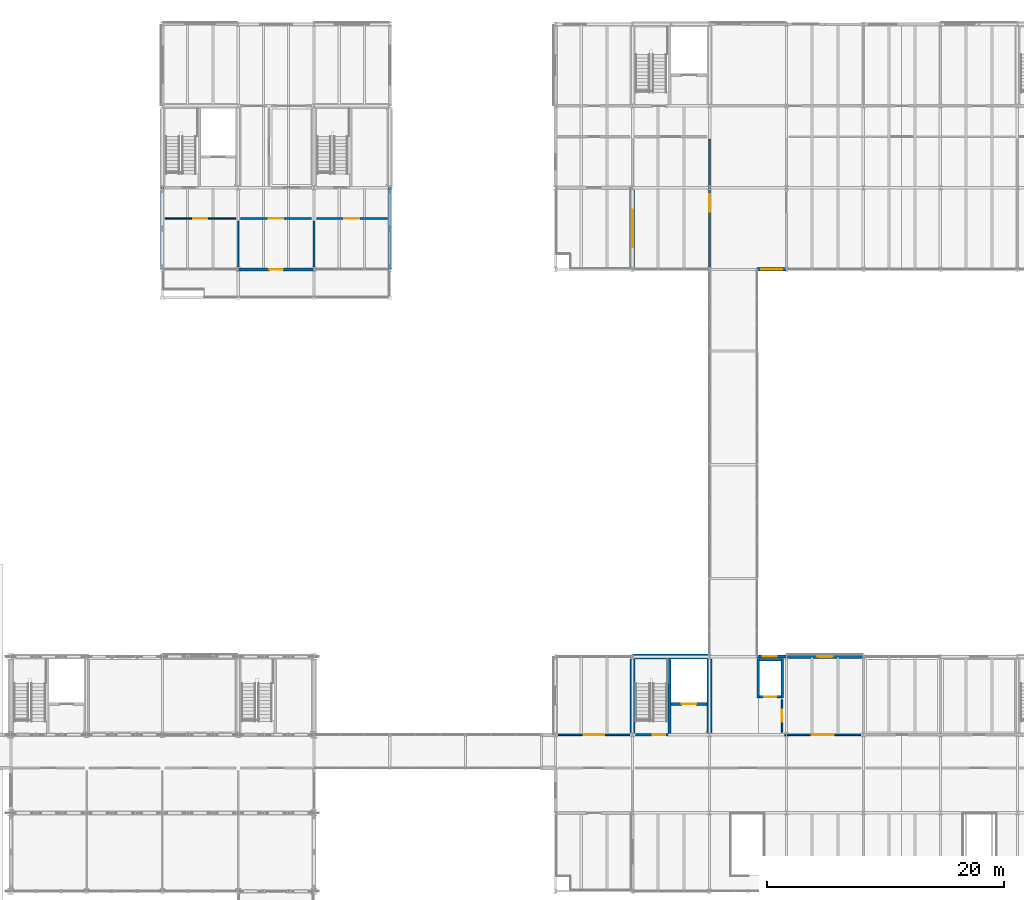
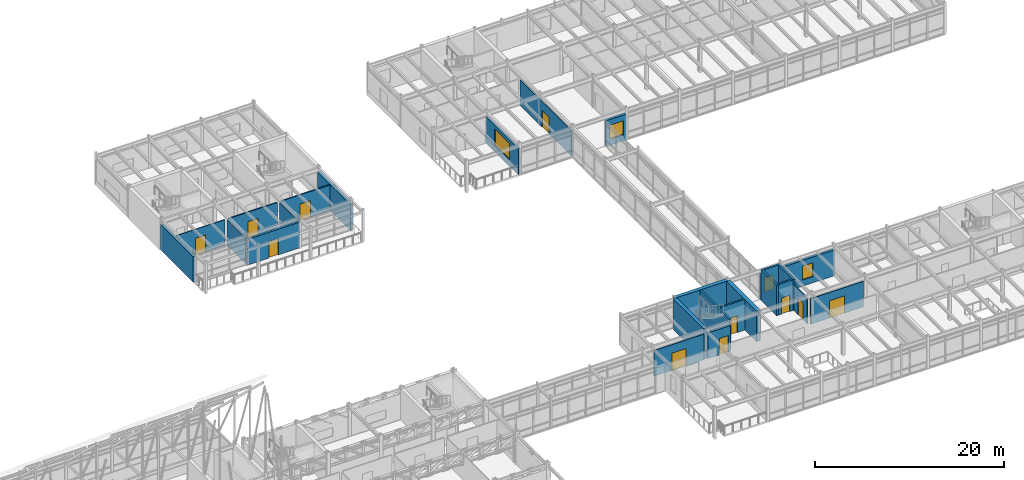
# One storey, part 131 of 144: 26 walls, 11 doors, 4 windows, 15 openings.
"""IFC4 building model written with IfcOpenShell, lengths in metres."""

from ifc_helpers import new_model, si_unit, direction, frame, frame_2d, origin, place, context, subcontext, project, spatial, rectangle, extrude, material, layer, layer_set, type_object, element, fill, save


model = new_model("IFC4")

# Units and contexts
model_context = context("Model", 3, precision=1e-05, world=origin(), true_north=direction((0.0, 1.0)))
body_context = subcontext(model_context, "Body", "Model", "MODEL_VIEW")
ifc_project = project(units=[si_unit("LENGTHUNIT", "METRE"), si_unit("AREAUNIT", "SQUARE_METRE"), si_unit("VOLUMEUNIT", "CUBIC_METRE"), si_unit("PLANEANGLEUNIT", "RADIAN"), si_unit("MASSUNIT", "GRAM", prefix="KILO")], contexts=[model_context])

# Site, building, storey
site_placement = place(None, origin())
site = spatial("IfcSite", under=ifc_project, at=site_placement, CompositionType="ELEMENT")
building_placement = place(site_placement, origin())
building = spatial("IfcBuilding", under=site, at=building_placement, Name="Trelmorton Wharf Fire Station", CompositionType="ELEMENT")
storey_placement = place(building_placement, frame((0.0, 0.0, 5.39990234375)))
storey = spatial("IfcBuildingStorey", under=building, at=storey_placement, Name="L01", CompositionType="ELEMENT", Elevation=5.39990234375)

# Wall, opening, door
ifc_material_1 = material(Name="Precast concrete 45 MPa", Category="concrete")
ifc_layer_1 = layer(ifc_material_1, 0.25)
ifc_layer_set_1 = layer_set([ifc_layer_1], Name="Precast concrete 45 MPa")
wall_type_1 = type_object("IfcWallType", Name="EW_PREC_250", PredefinedType="SOLIDWALL", material=ifc_layer_set_1)
wall_1_placement = place(storey_placement, frame((83.594970703125, 60.300048828125, 0.0), z_axis=(0.0, 0.0, 1.0), x_axis=(-1.0, 0.0, 0.0)))
wall_1 = element("IfcWall", 1, at=wall_1_placement, inside=storey, type_object=wall_type_1, Name="EW-V2-L01-0163", PredefinedType="SOLIDWALL", context=body_context, shape_type="SweptSolid", body=[
    extrude(rectangle(XDim=6.389892578125, YDim=0.25, at=frame_2d((3.19482421875, 0.0))), origin(), (0.0, 0.0, 1.0), 3.320068359375),
])
opening_1_placement = place(wall_1_placement, frame((2.625, 0.0, 0.0)))
opening_1 = element("IfcOpeningElement", 2, at=opening_1_placement, cuts=wall_1, Name="Opening TD-026", PredefinedType="OPENING", context=body_context, shape_type="SweptSolid", body=[
    extrude(rectangle(XDim=1.139892578125, YDim=2.139892578125, at=frame_2d((0.56982421875, 1.06982421875))), frame((0.0, 0.135009765625, 0.0), z_axis=(0.0, -1.0, 0.0), x_axis=(1.0, 0.0, 0.0)), (0.0, 0.0, 1.0), 0.27001953125),
])
ifc_material_2 = material(Name="Anodised aluminium AW-6063", Category="aluminium")
door_type_1 = type_object("IfcDoorType", Name="DR_TER_SGL_114", OperationType="NOTDEFINED", PredefinedType="DOOR", material=ifc_material_2)
door_1_placement = place(opening_1_placement, origin())
door_1 = element("IfcDoor", 3, at=door_1_placement, inside=storey, type_object=door_type_1, Name="Terrace Door TD-026", OperationType="SINGLE_SWING_LEFT", OverallHeight=2.139892578125, OverallWidth=1.139892578125, PredefinedType="DOOR", context=body_context, shape_type="SweptSolid", body=[
    extrude(rectangle(XDim=1.139892578125, YDim=2.139892578125, at=frame_2d((0.56982421875, 1.06982421875))), frame((0.0, 0.02490234375, 0.0), z_axis=(0.0, -1.0, 0.0), x_axis=(1.0, 0.0, 0.0)), (0.0, 0.0, 1.0), 0.050048828125),
])
fill(opening_1, door_1)

# Wall, opening, window
ifc_layer_2 = layer(ifc_material_1, 0.27001953125)
ifc_layer_set_2 = layer_set([ifc_layer_2], Name="Precast concrete 45 MPa")
wall_type_2 = type_object("IfcWallType", Name="EW_PREC_270", PredefinedType="SOLIDWALL", material=ifc_layer_set_2)
wall_2_placement = place(storey_placement, frame((121.0048828125, 27.60009765625, 0.0), z_axis=(0.0, 0.0, 1.0), x_axis=(1.0, 0.0, 0.0)))
wall_2 = element("IfcWall", 4, at=wall_2_placement, inside=storey, type_object=wall_type_2, Name="EW-V5-L01-0080", PredefinedType="SOLIDWALL", context=body_context, shape_type="SweptSolid", body=[
    extrude(rectangle(XDim=2.490234375, YDim=0.27001953125, at=frame_2d((1.2451171875, 0.0))), origin(), (0.0, 0.0, 1.0), 3.320068359375),
])
opening_2_placement = place(wall_2_placement, frame((0.50244140625, 0.0, 0.800048828125)))
opening_2 = element("IfcOpeningElement", 5, at=opening_2_placement, cuts=wall_2, Name="Opening W17", PredefinedType="OPENING", context=body_context, shape_type="SweptSolid", body=[
    extrude(rectangle(XDim=1.14990234375, YDim=1.800048828125, at=frame_2d((0.574951171875, 0.89990234375))), frame((0.0, 0.14501953125, 0.0), z_axis=(0.0, -1.0, 0.0), x_axis=(1.0, 0.0, 0.0)), (0.0, 0.0, 1.0), 0.2900390625),
])
ifc_material_3 = material(Name="Tempered low-E double glazing", Category="glass")
window_type_1 = type_object("IfcWindowType", Name="WIN_W17", PartitioningType="SINGLE_PANEL", PredefinedType="WINDOW", material=ifc_material_3)
window_1_placement = place(opening_2_placement, origin())
window_1 = element("IfcWindow", 6, at=window_1_placement, inside=storey, type_object=window_type_1, Name="WN-V5-L01-0032", OverallHeight=1.800048828125, OverallWidth=1.14990234375, PartitioningType="SINGLE_PANEL", PredefinedType="WINDOW", context=body_context, shape_type="SweptSolid", body=[
    extrude(rectangle(XDim=1.14990234375, YDim=1.800048828125, at=frame_2d((0.574951171875, 0.89990234375))), frame((0.0, 0.030029296875, 0.0), z_axis=(0.0, -1.0, 0.0), x_axis=(1.0, 0.0, 0.0)), (0.0, 0.0, 1.0), 0.06005859375),
])
fill(opening_2, window_1)

ifc_layer_3 = layer(ifc_material_1, 0.2900390625)
ifc_layer_set_3 = layer_set([ifc_layer_3], Name="Precast concrete 45 MPa")
wall_type_3 = type_object("IfcWallType", Name="EW_TERR_290", PredefinedType="SOLIDWALL", material=ifc_layer_set_3)
wall_3_placement = place(storey_placement, frame((123.5048828125, 27.60009765625, 0.0), z_axis=(0.0, 0.0, 1.0), x_axis=(1.0, 0.0, 0.0)))
wall_3 = element("IfcWall", 7, at=wall_3_placement, inside=storey, type_object=wall_type_3, Name="EW-V5-L01-0081", PredefinedType="SOLIDWALL", context=body_context, shape_type="SweptSolid", body=[
    extrude(rectangle(XDim=6.490234375, YDim=0.2900390625, at=frame_2d((3.2451171875, 0.0))), origin(), (0.0, 0.0, 1.0), 3.320068359375),
])
opening_3_placement = place(wall_3_placement, frame((2.594970703125, 0.0, 0.800048828125)))
opening_3 = element("IfcOpeningElement", 8, at=opening_3_placement, cuts=wall_3, Name="Opening W18", PredefinedType="OPENING", context=body_context, shape_type="SweptSolid", body=[
    extrude(rectangle(XDim=1.300048828125, YDim=1.800048828125, at=frame_2d((0.64990234375, 0.89990234375))), frame((0.0, 0.155029296875, 0.0), z_axis=(0.0, -1.0, 0.0), x_axis=(1.0, 0.0, 0.0)), (0.0, 0.0, 1.0), 0.31005859375),
])
window_type_2 = type_object("IfcWindowType", Name="WIN_W18", PartitioningType="SINGLE_PANEL", PredefinedType="WINDOW", material=ifc_material_3)
window_2_placement = place(opening_3_placement, origin())
window_2 = element("IfcWindow", 9, at=window_2_placement, inside=storey, type_object=window_type_2, Name="WN-V5-L01-0033", OverallHeight=1.800048828125, OverallWidth=1.300048828125, PartitioningType="SINGLE_PANEL", PredefinedType="WINDOW", context=body_context, shape_type="SweptSolid", body=[
    extrude(rectangle(XDim=1.300048828125, YDim=1.800048828125, at=frame_2d((0.64990234375, 0.89990234375))), frame((0.0, 0.030029296875, 0.0), z_axis=(0.0, -1.0, 0.0), x_axis=(1.0, 0.0, 0.0)), (0.0, 0.0, 1.0), 0.06005859375),
])
fill(opening_3, window_2)

wall_4_placement = place(storey_placement, frame((110.5, 60.304931640625, 0.0), z_axis=(0.0, 0.0, 1.0), x_axis=(0.0, 1.0, 0.0)))
wall_4 = element("IfcWall", 10, at=wall_4_placement, inside=storey, type_object=wall_type_3, Name="EW-V4-L01-0213", PredefinedType="SOLIDWALL", context=body_context, shape_type="SweptSolid", body=[
    extrude(rectangle(XDim=6.89013671875, YDim=0.2900390625, at=frame_2d((3.445068359375, 0.0))), origin(), (0.0, 0.0, 1.0), 3.320068359375),
])
opening_4_placement = place(wall_4_placement, frame((1.8701171875, 0.0, 0.800048828125)))
opening_4 = element("IfcOpeningElement", 11, at=opening_4_placement, cuts=wall_4, Name="Opening W06", PredefinedType="OPENING", context=body_context, shape_type="SweptSolid", body=[
    extrude(rectangle(XDim=3.14990234375, YDim=2.10009765625, at=frame_2d((1.574951171875, 1.050048828125))), frame((0.0, 0.155029296875, 0.0), z_axis=(0.0, -1.0, 0.0), x_axis=(1.0, 0.0, 0.0)), (0.0, 0.0, 1.0), 0.31005859375),
])
window_type_3 = type_object("IfcWindowType", Name="WIN_W06", PartitioningType="TRIPLE_PANEL_VERTICAL", PredefinedType="WINDOW", material=ifc_material_3)
window_3_placement = place(opening_4_placement, origin())
window_3 = element("IfcWindow", 12, at=window_3_placement, inside=storey, type_object=window_type_3, Name="WN-V4-L01-0116", OverallHeight=2.10009765625, OverallWidth=3.14990234375, PartitioningType="TRIPLE_PANEL_VERTICAL", PredefinedType="WINDOW", context=body_context, shape_type="SweptSolid", body=[
    extrude(rectangle(XDim=3.14990234375, YDim=2.10009765625, at=frame_2d((1.574951171875, 1.050048828125))), frame((0.0, 0.030029296875, 0.0), z_axis=(0.0, -1.0, 0.0), x_axis=(1.0, 0.0, 0.0)), (0.0, 0.0, 1.0), 0.06005859375),
])
fill(opening_4, window_3)

# Wall
ifc_layer_4 = layer(ifc_material_1, 0.31005859375)
ifc_layer_set_4 = layer_set([ifc_layer_4], Name="Precast concrete 45 MPa")
wall_type_4 = type_object("IfcWallType", Name="EW_TERR_310", PredefinedType="SOLIDWALL", material=ifc_layer_set_4)
wall_5_placement = place(storey_placement, frame((70.800048828125, 60.304931640625, 0.0), z_axis=(0.0, 0.0, 1.0), x_axis=(0.0, 1.0, 0.0)))
element("IfcWall", 13, at=wall_5_placement, inside=storey, type_object=wall_type_4, Name="EW-V2-L01-0166", PredefinedType="SOLIDWALL", context=body_context, shape_type="SweptSolid", body=[
    extrude(rectangle(XDim=6.89013671875, YDim=0.31005859375, at=frame_2d((3.445068359375, 0.0))), origin(), (0.0, 0.0, 1.0), 3.320068359375),
])

# Wall, opening, window
wall_6_placement = place(storey_placement, frame((123.4951171875, 60.300048828125, 0.0), z_axis=(0.0, 0.0, 1.0), x_axis=(-1.0, 0.0, 0.0)))
wall_6 = element("IfcWall", 14, at=wall_6_placement, inside=storey, type_object=wall_type_4, Name="EW-V4-L01-0214", PredefinedType="SOLIDWALL", context=body_context, shape_type="SweptSolid", body=[
    extrude(rectangle(XDim=2.490234375, YDim=0.31005859375, at=frame_2d((1.2451171875, 0.0))), origin(), (0.0, 0.0, 1.0), 3.320068359375),
])
opening_5_placement = place(wall_6_placement, frame((0.3701171875, 0.0, 0.800048828125)))
opening_5 = element("IfcOpeningElement", 15, at=opening_5_placement, cuts=wall_6, Name="Opening W09", PredefinedType="OPENING", context=body_context, shape_type="SweptSolid", body=[
    extrude(rectangle(XDim=1.75, YDim=1.800048828125, at=frame_2d((0.875, 0.89990234375))), frame((0.0, 0.1650390625, 0.0), z_axis=(0.0, -1.0, 0.0), x_axis=(1.0, 0.0, 0.0)), (0.0, 0.0, 1.0), 0.330078125),
])
window_type_4 = type_object("IfcWindowType", Name="WIN_W09", PartitioningType="DOUBLE_PANEL_VERTICAL", PredefinedType="WINDOW", material=ifc_material_3)
window_4_placement = place(opening_5_placement, origin())
window_4 = element("IfcWindow", 16, at=window_4_placement, inside=storey, type_object=window_type_4, Name="WN-V4-L01-0117", OverallHeight=1.800048828125, OverallWidth=1.75, PartitioningType="DOUBLE_PANEL_VERTICAL", PredefinedType="WINDOW", context=body_context, shape_type="SweptSolid", body=[
    extrude(rectangle(XDim=1.75, YDim=1.800048828125, at=frame_2d((0.875, 0.89990234375))), frame((0.0, 0.030029296875, 0.0), z_axis=(0.0, -1.0, 0.0), x_axis=(1.0, 0.0, 0.0)), (0.0, 0.0, 1.0), 0.06005859375),
])
fill(opening_5, window_4)

# Wall
ifc_layer_5 = layer(ifc_material_1, 0.330078125)
ifc_layer_set_5 = layer_set([ifc_layer_5], Name="Precast concrete 45 MPa")
wall_type_5 = type_object("IfcWallType", Name="EW_TERR_330", PredefinedType="SOLIDWALL", material=ifc_layer_set_5)
wall_7_placement = place(storey_placement, frame((90.0, 67.195068359375, 0.0), z_axis=(0.0, 0.0, 1.0), x_axis=(0.0, -1.0, 0.0)))
element("IfcWall", 17, at=wall_7_placement, inside=storey, type_object=wall_type_5, Name="EW-V2-L01-0167", PredefinedType="SOLIDWALL", context=body_context, shape_type="SweptSolid", body=[
    extrude(rectangle(XDim=6.89013671875, YDim=0.330078125, at=frame_2d((3.445068359375, 0.0))), origin(), (0.0, 0.0, 1.0), 3.320068359375),
])

# Wall, opening, door
ifc_material_4 = material(Name="Gypsum plasterboard partition")
ifc_layer_6 = layer(ifc_material_4, 0.14990234375)
ifc_layer_set_6 = layer_set([ifc_layer_6], Name="Gypsum plasterboard partition")
wall_type_6 = type_object("IfcWallType", Name="IW_ACOU_150", PredefinedType="PARTITIONING", material=ifc_layer_set_6)
wall_8_placement = place(storey_placement, frame((77.419921875, 64.60009765625, 0.0), z_axis=(0.0, 0.0, 1.0), x_axis=(1.0, 0.0, 0.0)))
wall_8 = element("IfcWall", 18, at=wall_8_placement, inside=storey, type_object=wall_type_6, Name="IW-L01-0107", PredefinedType="PARTITIONING", context=body_context, shape_type="SweptSolid", body=[
    extrude(rectangle(XDim=5.9599609375, YDim=0.14990234375, at=frame_2d((2.97998046875, 0.0))), origin(), (0.0, 0.0, 1.0), 3.300048828125),
])
opening_6_placement = place(wall_8_placement, frame((2.364990234375, 0.0, 0.0)))
opening_6 = element("IfcOpeningElement", 19, at=opening_6_placement, cuts=wall_8, Name="Opening D-071", PredefinedType="OPENING", context=body_context, shape_type="SweptSolid", body=[
    extrude(rectangle(XDim=1.22998046875, YDim=2.080078125, at=frame_2d((0.614990234375, 1.0400390625))), frame((0.0, 0.0849609375, 0.0), z_axis=(0.0, -1.0, 0.0), x_axis=(1.0, 0.0, 0.0)), (0.0, 0.0, 1.0), 0.169921875),
])
ifc_material_5 = material(Name="Acoustic timber panelling", Category="wood")
door_type_2 = type_object("IfcDoorType", Name="DR_INT_123", OperationType="NOTDEFINED", PredefinedType="DOOR", material=ifc_material_5)
door_2_placement = place(opening_6_placement, origin())
door_2 = element("IfcDoor", 20, at=door_2_placement, inside=storey, type_object=door_type_2, Name="Interior Door D-071", OperationType="SINGLE_SWING_LEFT", OverallHeight=2.080078125, OverallWidth=1.22998046875, PredefinedType="DOOR", context=body_context, shape_type="SweptSolid", body=[
    extrude(rectangle(XDim=1.22998046875, YDim=2.080078125, at=frame_2d((0.614990234375, 1.0400390625))), frame((0.0, 0.02490234375, 0.0), z_axis=(0.0, -1.0, 0.0), x_axis=(1.0, 0.0, 0.0)), (0.0, 0.0, 1.0), 0.050048828125),
])
fill(opening_6, door_2)

# Wall
ifc_layer_7 = layer(ifc_material_4, 0.159912109375)
ifc_layer_set_7 = layer_set([ifc_layer_7], Name="Gypsum plasterboard partition")
wall_type_7 = type_object("IfcWallType", Name="IW_ACOU_160", PredefinedType="PARTITIONING", material=ifc_layer_set_7)
wall_9_placement = place(storey_placement, frame((83.60009765625, 60.52001953125, 0.0), z_axis=(0.0, 0.0, 1.0), x_axis=(0.0, 1.0, 0.0)))
element("IfcWall", 21, at=wall_9_placement, inside=storey, type_object=wall_type_7, Name="IW-L01-0106", PredefinedType="PARTITIONING", context=body_context, shape_type="SweptSolid", body=[
    extrude(rectangle(XDim=3.85986328125, YDim=0.159912109375, at=frame_2d((1.929931640625, 0.0))), origin(), (0.0, 0.0, 1.0), 3.300048828125),
])

# Wall, opening, door
wall_10_placement = place(storey_placement, frame((117.0, 60.52001953125, 0.0), z_axis=(0.0, 0.0, 1.0), x_axis=(0.0, 1.0, 0.0)))
wall_10 = element("IfcWall", 22, at=wall_10_placement, inside=storey, type_object=wall_type_7, Name="IW-L01-0113", PredefinedType="PARTITIONING", context=body_context, shape_type="SweptSolid", body=[
    extrude(rectangle(XDim=10.760009765625, YDim=0.159912109375, at=frame_2d((5.3798828125, 0.0))), origin(), (0.0, 0.0, 1.0), 3.300048828125),
])
opening_7_placement = place(wall_10_placement, frame((4.639892578125, 0.0, 0.0)))
opening_7 = element("IfcOpeningElement", 23, at=opening_7_placement, cuts=wall_10, Name="Opening D-076", PredefinedType="OPENING", context=body_context, shape_type="SweptSolid", body=[
    extrude(rectangle(XDim=1.47998046875, YDim=2.179931640625, at=frame_2d((0.739990234375, 1.08984375))), frame((0.0, 0.08984375, 0.0), z_axis=(0.0, -1.0, 0.0), x_axis=(1.0, 0.0, 0.0)), (0.0, 0.0, 1.0), 0.179931640625),
])
door_type_3 = type_object("IfcDoorType", Name="DR_INT_148", OperationType="DOUBLE_DOOR_SINGLE_SWING", PredefinedType="DOOR", material=ifc_material_5)
door_3_placement = place(opening_7_placement, origin())
door_3 = element("IfcDoor", 24, at=door_3_placement, inside=storey, type_object=door_type_3, Name="Interior Door D-076", OperationType="DOUBLE_DOOR_SINGLE_SWING", OverallHeight=2.179931640625, OverallWidth=1.47998046875, PredefinedType="DOOR", context=body_context, shape_type="SweptSolid", body=[
    extrude(rectangle(XDim=1.47998046875, YDim=2.179931640625, at=frame_2d((0.739990234375, 1.08984375))), frame((0.0, 0.02490234375, 0.0), z_axis=(0.0, -1.0, 0.0), x_axis=(1.0, 0.0, 0.0)), (0.0, 0.0, 1.0), 0.050048828125),
])
fill(opening_7, door_3)

# Wall
ifc_material_6 = material(Name="Concrete 40 MPa", Category="concrete")
ifc_layer_8 = layer(ifc_material_6, 0.219970703125)
ifc_layer_set_8 = layer_set([ifc_layer_8], Name="Concrete 40 MPa")
wall_type_8 = type_object("IfcWallType", Name="IW_CORE_220", PredefinedType="SOLIDWALL", material=ifc_layer_set_8)
wall_11_placement = place(storey_placement, frame((113.6201171875, 21.1201171875, 0.0), z_axis=(0.0, 0.0, 1.0), x_axis=(0.0, 1.0, 0.0)))
element("IfcWall", 25, at=wall_11_placement, inside=storey, type_object=wall_type_8, Name="IW-C3-DIV-L01", PredefinedType="SOLIDWALL", context=body_context, shape_type="SweptSolid", body=[
    extrude(rectangle(XDim=6.2548828125, YDim=0.219970703125, at=frame_2d((3.12744140625, 0.0))), origin(), (0.0, 0.0, 1.0), 3.960205078125),
])

# Wall, opening, door
wall_12_placement = place(storey_placement, frame((110.760009765625, 21.0, 0.0), z_axis=(0.0, 0.0, 1.0), x_axis=(1.0, 0.0, 0.0)))
wall_12 = element("IfcWall", 26, at=wall_12_placement, inside=storey, type_object=wall_type_8, Name="IW-C3-SF-L01", PredefinedType="SOLIDWALL", context=body_context, shape_type="SweptSolid", body=[
    extrude(rectangle(XDim=2.739990234375, YDim=0.219970703125, at=frame_2d((1.3701171875, 0.0))), origin(), (0.0, 0.0, 1.0), 3.320068359375),
])
opening_8_placement = place(wall_12_placement, frame((1.43994140625, 0.0, 0.0)))
opening_8 = element("IfcOpeningElement", 27, at=opening_8_placement, cuts=wall_12, Name="Opening FD-012", PredefinedType="OPENING", context=body_context, shape_type="SweptSolid", body=[
    extrude(rectangle(XDim=1.06005859375, YDim=2.10009765625, at=frame_2d((0.530029296875, 1.050048828125))), frame((0.0, 0.1201171875, 0.0), z_axis=(0.0, -1.0, 0.0), x_axis=(1.0, 0.0, 0.0)), (0.0, 0.0, 1.0), 0.239990234375),
])
ifc_material_7 = material(Name="Stainless steel 316 marine grade", Category="steel")
door_type_4 = type_object("IfcDoorType", Name="DR_FIRE_106", OperationType="NOTDEFINED", PredefinedType="DOOR", material=ifc_material_7)
door_4_placement = place(opening_8_placement, origin())
door_4 = element("IfcDoor", 28, at=door_4_placement, inside=storey, type_object=door_type_4, Name="Stair Fire Door FD-012", OperationType="SINGLE_SWING_LEFT", OverallHeight=2.10009765625, OverallWidth=1.06005859375, PredefinedType="DOOR", context=body_context, shape_type="SweptSolid", body=[
    extrude(rectangle(XDim=1.06005859375, YDim=2.10009765625, at=frame_2d((0.530029296875, 1.050048828125))), frame((0.0, 0.02490234375, 0.0), z_axis=(0.0, -1.0, 0.0), x_axis=(1.0, 0.0, 0.0)), (0.0, 0.0, 1.0), 0.050048828125),
])
fill(opening_8, door_4)

wall_13_placement = place(storey_placement, frame((113.739990234375, 23.60009765625, 0.0), z_axis=(0.0, 0.0, 1.0), x_axis=(1.0, 0.0, 0.0)))
wall_13 = element("IfcWall", 29, at=wall_13_placement, inside=storey, type_object=wall_type_8, Name="IW-C3-LSH-L01", PredefinedType="SOLIDWALL", context=body_context, shape_type="SweptSolid", body=[
    extrude(rectangle(XDim=3.034912109375, YDim=0.219970703125, at=frame_2d((1.517578125, 0.0))), origin(), (0.0, 0.0, 1.0), 3.960205078125),
])
opening_9_placement = place(wall_13_placement, frame((0.91748046875, 0.0, 0.0)))
opening_9 = element("IfcOpeningElement", 30, at=opening_9_placement, cuts=wall_13, Name="Opening LD-007", PredefinedType="OPENING", context=body_context, shape_type="SweptSolid", body=[
    extrude(rectangle(XDim=1.199951171875, YDim=2.14990234375, at=frame_2d((0.60009765625, 1.074951171875))), frame((0.0, 0.1201171875, 0.0), z_axis=(0.0, -1.0, 0.0), x_axis=(1.0, 0.0, 0.0)), (0.0, 0.0, 1.0), 0.239990234375),
])
door_type_5 = type_object("IfcDoorType", Name="DR_LIFT_120", OperationType="DOUBLE_DOOR_SLIDING", PredefinedType="DOOR", material=ifc_material_7)
door_5_placement = place(opening_9_placement, origin())
door_5 = element("IfcDoor", 31, at=door_5_placement, inside=storey, type_object=door_type_5, Name="Lift Landing Door LD-007", OperationType="DOUBLE_DOOR_SLIDING", OverallHeight=2.14990234375, OverallWidth=1.199951171875, PredefinedType="DOOR", context=body_context, shape_type="SweptSolid", body=[
    extrude(rectangle(XDim=1.199951171875, YDim=2.14990234375, at=frame_2d((0.60009765625, 1.074951171875))), frame((0.0, 0.02490234375, 0.0), z_axis=(0.0, -1.0, 0.0), x_axis=(1.0, 0.0, 0.0)), (0.0, 0.0, 1.0), 0.050048828125),
])
fill(opening_9, door_5)

# Walls
for number, where, z_axis, x_axis, name in (
    (32, (121.110107421875, 24.090087890625, 0.0), (0.0, 0.0, 1.0), (0.0, 1.0, 0.0), "IW-LF3-W-L01"),
    (33, (123.1298828125, 24.090087890625, 0.0), (0.0, 0.0, 1.0), (0.0, 1.0, 0.0), "IW-LF3-E-L01"),
):
    element("IfcWall", number, at=place(storey_placement, frame(where, z_axis=z_axis, x_axis=x_axis)), inside=storey, type_object=wall_type_8, Name=name, PredefinedType="SOLIDWALL", context=body_context, shape_type="SweptSolid", body=[
        extrude(rectangle(XDim=3.35986328125, YDim=0.219970703125, at=frame_2d((1.679931640625, 0.0))), origin(), (0.0, 0.0, 1.0), 3.960205078125),
    ])
wall_14_placement = place(storey_placement, frame((121.219970703125, 27.340087890625, 0.0), z_axis=(0.0, 0.0, 1.0), x_axis=(1.0, 0.0, 0.0)))
element("IfcWall", 34, at=wall_14_placement, inside=storey, type_object=wall_type_8, Name="IW-LF3-N-L01", PredefinedType="SOLIDWALL", context=body_context, shape_type="SweptSolid", body=[
    extrude(rectangle(XDim=1.800048828125, YDim=0.219970703125, at=frame_2d((0.89990234375, 0.0))), origin(), (0.0, 0.0, 1.0), 3.960205078125),
])

# Wall, opening, door
wall_15_placement = place(storey_placement, frame((121.219970703125, 24.199951171875, 0.0), z_axis=(0.0, 0.0, 1.0), x_axis=(1.0, 0.0, 0.0)))
wall_15 = element("IfcWall", 35, at=wall_15_placement, inside=storey, type_object=wall_type_8, Name="IW-LF3-S-L01", PredefinedType="SOLIDWALL", context=body_context, shape_type="SweptSolid", body=[
    extrude(rectangle(XDim=1.800048828125, YDim=0.219970703125, at=frame_2d((0.89990234375, 0.0))), origin(), (0.0, 0.0, 1.0), 3.960205078125),
])
opening_10_placement = place(wall_15_placement, frame((0.39990234375, 0.0, 0.0)))
opening_10 = element("IfcOpeningElement", 36, at=opening_10_placement, cuts=wall_15, Name="Opening LD-008", PredefinedType="OPENING", context=body_context, shape_type="SweptSolid", body=[
    extrude(rectangle(XDim=1.0, YDim=2.10009765625, at=frame_2d((0.5, 1.050048828125))), frame((0.0, 0.1201171875, 0.0), z_axis=(0.0, -1.0, 0.0), x_axis=(1.0, 0.0, 0.0)), (0.0, 0.0, 1.0), 0.239990234375),
])
door_type_6 = type_object("IfcDoorType", Name="DR_LIFT_100", OperationType="DOUBLE_DOOR_SLIDING", PredefinedType="DOOR", material=ifc_material_7)
door_6_placement = place(opening_10_placement, origin())
door_6 = element("IfcDoor", 37, at=door_6_placement, inside=storey, type_object=door_type_6, Name="Lift Landing Door LD-008", OperationType="DOUBLE_DOOR_SLIDING", OverallHeight=2.10009765625, OverallWidth=1.0, PredefinedType="DOOR", context=body_context, shape_type="SweptSolid", body=[
    extrude(rectangle(XDim=1.0, YDim=2.10009765625, at=frame_2d((0.5, 1.050048828125))), frame((0.0, 0.02490234375, 0.0), z_axis=(0.0, -1.0, 0.0), x_axis=(1.0, 0.0, 0.0)), (0.0, 0.0, 1.0), 0.050048828125),
])
fill(opening_10, door_6)

ifc_layer_9 = layer(ifc_material_4, 0.10009765625)
ifc_layer_set_9 = layer_set([ifc_layer_9], Name="Gypsum plasterboard partition")
wall_type_9 = type_object("IfcWallType", Name="IW_PART_100", PredefinedType="PARTITIONING", material=ifc_layer_set_9)
wall_16_placement = place(storey_placement, frame((71.02001953125, 64.60009765625, 0.0), z_axis=(0.0, 0.0, 1.0), x_axis=(1.0, 0.0, 0.0)))
wall_16 = element("IfcWall", 38, at=wall_16_placement, inside=storey, type_object=wall_type_9, Name="IW-L01-0105", PredefinedType="PARTITIONING", context=body_context, shape_type="SweptSolid", body=[
    extrude(rectangle(XDim=5.9599609375, YDim=0.10009765625, at=frame_2d((2.97998046875, 0.0))), origin(), (0.0, 0.0, 1.0), 3.300048828125),
])
opening_11_placement = place(wall_16_placement, frame((2.385009765625, 0.0, 0.0)))
opening_11 = element("IfcOpeningElement", 39, at=opening_11_placement, cuts=wall_16, Name="Opening D-070", PredefinedType="OPENING", context=body_context, shape_type="SweptSolid", body=[
    extrude(rectangle(XDim=1.18994140625, YDim=2.139892578125, at=frame_2d((0.594970703125, 1.06982421875))), frame((0.0, 0.06005859375, 0.0), z_axis=(0.0, -1.0, 0.0), x_axis=(1.0, 0.0, 0.0)), (0.0, 0.0, 1.0), 0.1201171875),
])
door_type_7 = type_object("IfcDoorType", Name="DR_INT_119", OperationType="NOTDEFINED", PredefinedType="DOOR", material=ifc_material_5)
door_7_placement = place(opening_11_placement, origin())
door_7 = element("IfcDoor", 40, at=door_7_placement, inside=storey, type_object=door_type_7, Name="Interior Door D-070", OperationType="SINGLE_SWING_RIGHT", OverallHeight=2.139892578125, OverallWidth=1.18994140625, PredefinedType="DOOR", context=body_context, shape_type="SweptSolid", body=[
    extrude(rectangle(XDim=1.18994140625, YDim=2.139892578125, at=frame_2d((0.594970703125, 1.06982421875))), frame((0.0, 0.02490234375, 0.0), z_axis=(0.0, -1.0, 0.0), x_axis=(1.0, 0.0, 0.0)), (0.0, 0.0, 1.0), 0.050048828125),
])
fill(opening_11, door_7)

# Wall
ifc_layer_10 = layer(ifc_material_4, 0.110107421875)
ifc_layer_set_10 = layer_set([ifc_layer_10], Name="Gypsum plasterboard partition")
wall_type_10 = type_object("IfcWallType", Name="IW_PART_110", PredefinedType="PARTITIONING", material=ifc_layer_set_10)
wall_17_placement = place(storey_placement, frame((77.199951171875, 60.52001953125, 0.0), z_axis=(0.0, 0.0, 1.0), x_axis=(0.0, 1.0, 0.0)))
element("IfcWall", 41, at=wall_17_placement, inside=storey, type_object=wall_type_10, Name="IW-L01-0104", PredefinedType="PARTITIONING", context=body_context, shape_type="SweptSolid", body=[
    extrude(rectangle(XDim=3.85986328125, YDim=0.110107421875, at=frame_2d((1.929931640625, 0.0))), origin(), (0.0, 0.0, 1.0), 3.300048828125),
])

# Wall, opening, door
ifc_layer_11 = layer(ifc_material_4, 0.1298828125)
ifc_layer_set_11 = layer_set([ifc_layer_11], Name="Gypsum plasterboard partition")
wall_type_11 = type_object("IfcWallType", Name="IW_PART_130", PredefinedType="PARTITIONING", material=ifc_layer_set_11)
wall_18_placement = place(storey_placement, frame((104.219970703125, 21.0, 0.0), z_axis=(0.0, 0.0, 1.0), x_axis=(1.0, 0.0, 0.0)))
wall_18 = element("IfcWall", 42, at=wall_18_placement, inside=storey, type_object=wall_type_11, Name="IW-L01-0088", PredefinedType="PARTITIONING", context=body_context, shape_type="SweptSolid", body=[
    extrude(rectangle(XDim=6.06005859375, YDim=0.1298828125, at=frame_2d((3.030029296875, 0.0))), origin(), (0.0, 0.0, 1.0), 3.300048828125),
])
opening_12_placement = place(wall_18_placement, frame((2.159912109375, 0.0, 0.0)))
opening_12 = element("IfcOpeningElement", 43, at=opening_12_placement, cuts=wall_18, Name="Opening D-059", PredefinedType="OPENING", context=body_context, shape_type="SweptSolid", body=[
    extrude(rectangle(XDim=1.739990234375, YDim=2.199951171875, at=frame_2d((0.8701171875, 1.10009765625))), frame((0.0, 0.074951171875, 0.0), z_axis=(0.0, -1.0, 0.0), x_axis=(1.0, 0.0, 0.0)), (0.0, 0.0, 1.0), 0.14990234375),
])
door_type_8 = type_object("IfcDoorType", Name="DR_INT_174", OperationType="DOUBLE_DOOR_SINGLE_SWING", PredefinedType="DOOR", material=ifc_material_5)
door_8_placement = place(opening_12_placement, origin())
door_8 = element("IfcDoor", 44, at=door_8_placement, inside=storey, type_object=door_type_8, Name="Interior Door D-059", OperationType="DOUBLE_DOOR_SINGLE_SWING", OverallHeight=2.199951171875, OverallWidth=1.739990234375, PredefinedType="DOOR", context=body_context, shape_type="SweptSolid", body=[
    extrude(rectangle(XDim=1.739990234375, YDim=2.199951171875, at=frame_2d((0.8701171875, 1.10009765625))), frame((0.0, 0.02490234375, 0.0), z_axis=(0.0, -1.0, 0.0), x_axis=(1.0, 0.0, 0.0)), (0.0, 0.0, 1.0), 0.050048828125),
])
fill(opening_12, door_8)

ifc_layer_12 = layer(ifc_material_4, 0.139892578125)
ifc_layer_set_12 = layer_set([ifc_layer_12], Name="Gypsum plasterboard partition")
wall_type_12 = type_object("IfcWallType", Name="IW_PART_140", PredefinedType="PARTITIONING", material=ifc_layer_set_12)
wall_19_placement = place(storey_placement, frame((123.1298828125, 21.219970703125, 0.0), z_axis=(0.0, 0.0, 1.0), x_axis=(0.0, 1.0, 0.0)))
wall_19 = element("IfcWall", 45, at=wall_19_placement, inside=storey, type_object=wall_type_12, Name="IW-L01-0066", PredefinedType="PARTITIONING", context=body_context, shape_type="SweptSolid", body=[
    extrude(rectangle(XDim=2.760009765625, YDim=0.139892578125, at=frame_2d((1.3798828125, 0.0))), origin(), (0.0, 0.0, 1.0), 3.300048828125),
])
opening_13_placement = place(wall_19_placement, frame((0.8798828125, 0.0, 0.0)))
opening_13 = element("IfcOpeningElement", 46, at=opening_13_placement, cuts=wall_19, Name="Opening D-045", PredefinedType="OPENING", context=body_context, shape_type="SweptSolid", body=[
    extrude(rectangle(XDim=1.0, YDim=2.1201171875, at=frame_2d((0.5, 1.06005859375))), frame((0.0, 0.080078125, 0.0), z_axis=(0.0, -1.0, 0.0), x_axis=(1.0, 0.0, 0.0)), (0.0, 0.0, 1.0), 0.159912109375),
])
door_type_9 = type_object("IfcDoorType", Name="DR_INT_100", OperationType="NOTDEFINED", PredefinedType="DOOR", material=ifc_material_5)
door_9_placement = place(opening_13_placement, origin())
door_9 = element("IfcDoor", 47, at=door_9_placement, inside=storey, type_object=door_type_9, Name="Interior Door D-045", OperationType="SINGLE_SWING_RIGHT", OverallHeight=2.1201171875, OverallWidth=1.0, PredefinedType="DOOR", context=body_context, shape_type="SweptSolid", body=[
    extrude(rectangle(XDim=1.0, YDim=2.1201171875, at=frame_2d((0.5, 1.06005859375))), frame((0.0, 0.02490234375, 0.0), z_axis=(0.0, -1.0, 0.0), x_axis=(1.0, 0.0, 0.0)), (0.0, 0.0, 1.0), 0.050048828125),
])
fill(opening_13, door_9)

wall_20_placement = place(storey_placement, frame((83.820068359375, 64.60009765625, 0.0), z_axis=(0.0, 0.0, 1.0), x_axis=(1.0, 0.0, 0.0)))
wall_20 = element("IfcWall", 48, at=wall_20_placement, inside=storey, type_object=wall_type_12, Name="IW-L01-0108", PredefinedType="PARTITIONING", context=body_context, shape_type="SweptSolid", body=[
    extrude(rectangle(XDim=5.9599609375, YDim=0.139892578125, at=frame_2d((2.97998046875, 0.0))), origin(), (0.0, 0.0, 1.0), 3.300048828125),
])
opening_14_placement = place(wall_20_placement, frame((2.344970703125, 0.0, 0.0)))
opening_14 = element("IfcOpeningElement", 49, at=opening_14_placement, cuts=wall_20, Name="Opening D-072", PredefinedType="OPENING", context=body_context, shape_type="SweptSolid", body=[
    extrude(rectangle(XDim=1.27001953125, YDim=2.10009765625, at=frame_2d((0.635009765625, 1.050048828125))), frame((0.0, 0.080078125, 0.0), z_axis=(0.0, -1.0, 0.0), x_axis=(1.0, 0.0, 0.0)), (0.0, 0.0, 1.0), 0.159912109375),
])
door_type_10 = type_object("IfcDoorType", Name="DR_INT_127", OperationType="NOTDEFINED", PredefinedType="DOOR", material=ifc_material_5)
door_10_placement = place(opening_14_placement, origin())
door_10 = element("IfcDoor", 50, at=door_10_placement, inside=storey, type_object=door_type_10, Name="Interior Door D-072", OperationType="SINGLE_SWING_RIGHT", OverallHeight=2.10009765625, OverallWidth=1.27001953125, PredefinedType="DOOR", context=body_context, shape_type="SweptSolid", body=[
    extrude(rectangle(XDim=1.27001953125, YDim=2.10009765625, at=frame_2d((0.635009765625, 1.050048828125))), frame((0.0, 0.02490234375, 0.0), z_axis=(0.0, -1.0, 0.0), x_axis=(1.0, 0.0, 0.0)), (0.0, 0.0, 1.0), 0.050048828125),
])
fill(opening_14, door_10)

ifc_layer_13 = layer(ifc_material_4, 0.1201171875)
ifc_layer_set_13 = layer_set([ifc_layer_13], Name="Gypsum plasterboard partition")
wall_type_13 = type_object("IfcWallType", Name="IW_WET_120", PredefinedType="PARTITIONING", material=ifc_layer_set_13)
wall_21_placement = place(storey_placement, frame((123.35009765625, 21.0, 0.0), z_axis=(0.0, 0.0, 1.0), x_axis=(1.0, 0.0, 0.0)))
wall_21 = element("IfcWall", 51, at=wall_21_placement, inside=storey, type_object=wall_type_13, Name="IW-L01-0089", PredefinedType="PARTITIONING", context=body_context, shape_type="SweptSolid", body=[
    extrude(rectangle(XDim=6.429931640625, YDim=0.1201171875, at=frame_2d((3.21484375, 0.0))), origin(), (0.0, 0.0, 1.0), 3.300048828125),
])
opening_15_placement = place(wall_21_placement, frame((2.294921875, 0.0, 0.0)))
opening_15 = element("IfcOpeningElement", 52, at=opening_15_placement, cuts=wall_21, Name="Opening D-060", PredefinedType="OPENING", context=body_context, shape_type="SweptSolid", body=[
    extrude(rectangle(XDim=1.840087890625, YDim=2.219970703125, at=frame_2d((0.919921875, 1.10986328125))), frame((0.0, 0.070068359375, 0.0), z_axis=(0.0, -1.0, 0.0), x_axis=(1.0, 0.0, 0.0)), (0.0, 0.0, 1.0), 0.14013671875),
])
door_type_11 = type_object("IfcDoorType", Name="DR_INT_184", OperationType="DOUBLE_DOOR_SINGLE_SWING", PredefinedType="DOOR", material=ifc_material_5)
door_11_placement = place(opening_15_placement, origin())
door_11 = element("IfcDoor", 53, at=door_11_placement, inside=storey, type_object=door_type_11, Name="Interior Door D-060", OperationType="DOUBLE_DOOR_SINGLE_SWING", OverallHeight=2.219970703125, OverallWidth=1.840087890625, PredefinedType="DOOR", context=body_context, shape_type="SweptSolid", body=[
    extrude(rectangle(XDim=1.840087890625, YDim=2.219970703125, at=frame_2d((0.919921875, 1.10986328125))), frame((0.0, 0.02490234375, 0.0), z_axis=(0.0, -1.0, 0.0), x_axis=(1.0, 0.0, 0.0)), (0.0, 0.0, 1.0), 0.050048828125),
])
fill(opening_15, door_11)

# Walls
ifc_material_8 = material(Name="Concrete 50 MPa", Category="concrete")
ifc_layer_14 = layer(ifc_material_8, 0.43994140625)
ifc_layer_set_14 = layer_set([ifc_layer_14], Name="Concrete 50 MPa")
wall_type_14 = type_object("IfcWallType", Name="WL_CORE_440", PredefinedType="SHEAR", material=ifc_layer_set_14)
wall_22_placement = place(storey_placement, frame((110.5, 27.60009765625, 0.0), z_axis=(0.0, 0.0, 1.0), x_axis=(1.0, 0.0, 0.0)))
element("IfcWall", 54, at=wall_22_placement, inside=storey, type_object=wall_type_14, Name="WL-SW-C3-L01-034", PredefinedType="SHEAR", context=body_context, shape_type="SweptSolid", body=[
    extrude(rectangle(XDim=6.5, YDim=0.43994140625, at=frame_2d((3.25, 0.0))), origin(), (0.0, 0.0, 1.0), 3.960205078125),
])
for number, where, z_axis, x_axis, name in (
    (55, (110.5, 21.0, 0.0), (0.0, 0.0, 1.0), (0.0, 1.0, 0.0), "WL-SW-C3-L01-035"),
    (56, (117.0, 21.0, 0.0), (0.0, 0.0, 1.0), (0.0, 1.0, 0.0), "WL-SW-C3-L01-036"),
):
    element("IfcWall", number, at=place(storey_placement, frame(where, z_axis=z_axis, x_axis=x_axis)), inside=storey, type_object=wall_type_14, Name=name, PredefinedType="SHEAR", context=body_context, shape_type="SweptSolid", body=[
        extrude(rectangle(XDim=6.3798828125, YDim=0.43994140625, at=frame_2d((3.18994140625, 0.0))), origin(), (0.0, 0.0, 1.0), 3.960205078125),
    ])

save(model, "model.ifc")
